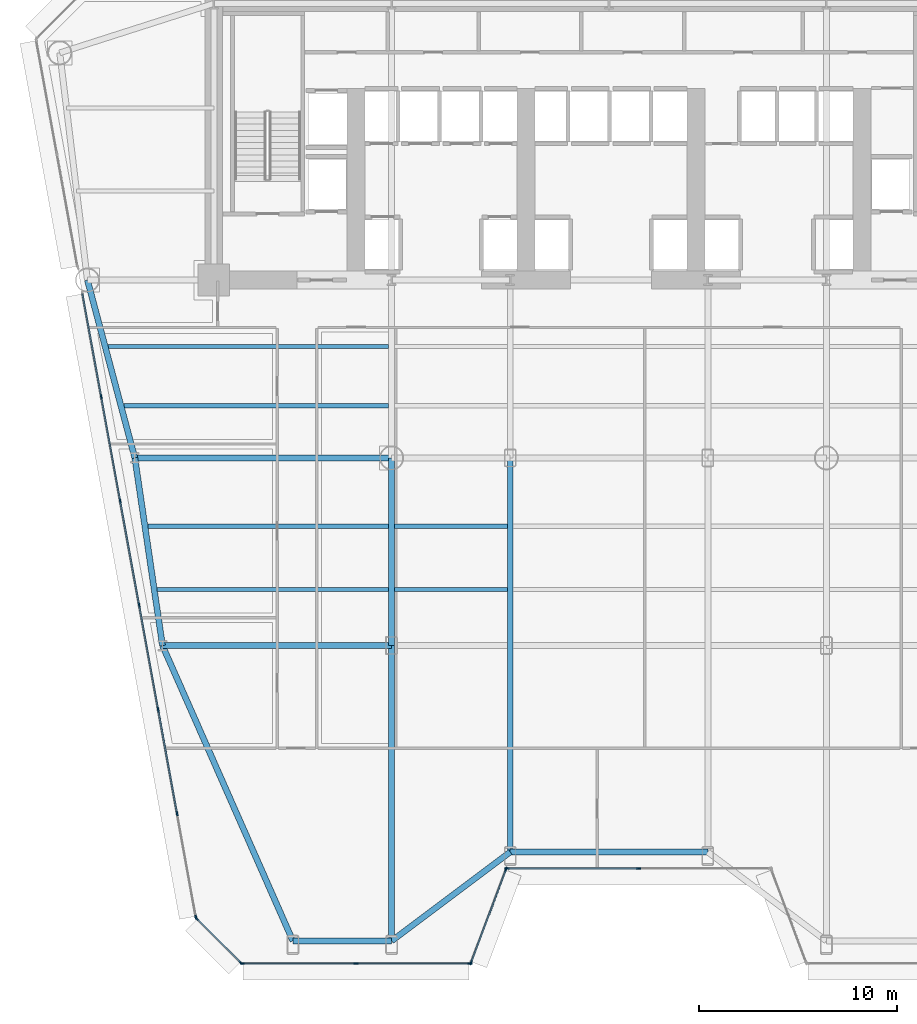
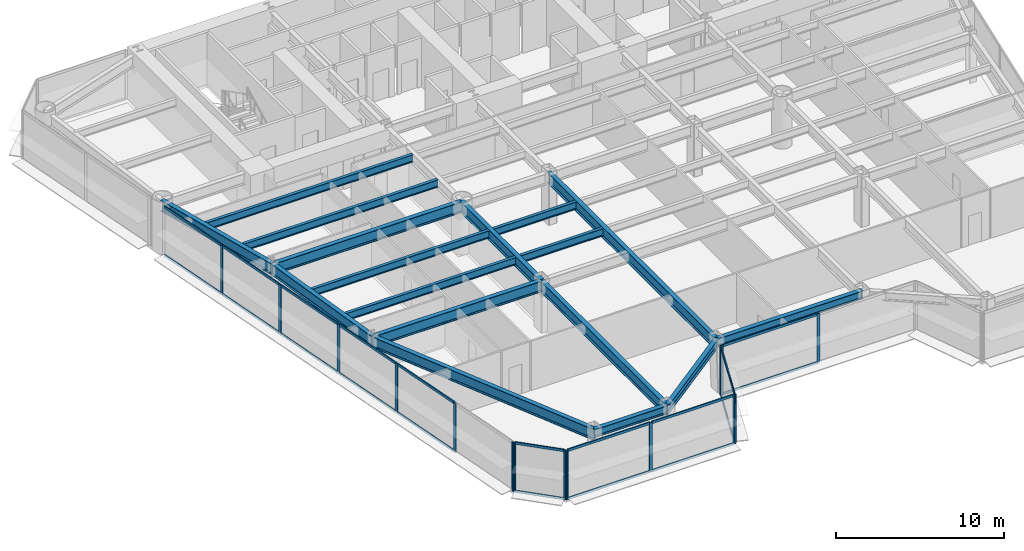
# One storey, part 2 of 14: 35 members, 17 beams, 5 elements without a shape of their own.
"""IFC4 building model written with IfcOpenShell, lengths in metres."""

from ifc_helpers import new_model, si_unit, direction, frame, origin, origin_2d, place, context, subcontext, project, spatial, rectangle, i_section, extrude, source, transform, mapped, material, layer, layer_set, material_profile, profile_set, type_object, element, aggregate, save


model = new_model("IFC4")

# Units and contexts
model_context = context("Model", 3, precision=1e-05, world=origin(), true_north=direction((0.0, 1.0)))
body_context = subcontext(model_context, "Body", "Model", "MODEL_VIEW")
ifc_project = project(units=[si_unit("LENGTHUNIT", "METRE"), si_unit("AREAUNIT", "SQUARE_METRE"), si_unit("VOLUMEUNIT", "CUBIC_METRE"), si_unit("PLANEANGLEUNIT", "RADIAN"), si_unit("MASSUNIT", "GRAM", prefix="KILO")], contexts=[model_context])

# Site, building, storey
site_placement = place(None, origin())
site = spatial("IfcSite", under=ifc_project, at=site_placement, CompositionType="ELEMENT")
building_placement = place(site_placement, origin())
building = spatial("IfcBuilding", under=site, at=building_placement, Name="Vaeldorn Concourse Tower", CompositionType="ELEMENT")
storey_placement = place(building_placement, frame((0.0, 0.0, 49.199951171875)))
storey = spatial("IfcBuildingStorey", under=building, at=storey_placement, Name="L12", CompositionType="ELEMENT", Elevation=49.199951171875)

# Beams
ifc_material_1 = material(Name="Steel S355", Category="steel")
ifc_material_profile_1 = material_profile(ifc_material_1, i_section(OverallWidth=0.300048828125, OverallDepth=0.800048828125, WebThickness=0.017578125, FlangeThickness=0.032958984375, FilletRadius=0.030029296875, at=origin_2d()), Name="HEB 800")
ifc_profile_set_1 = profile_set([ifc_material_profile_1], Name="Steel S355")
beam_type_1 = type_object("IfcBeamType", Name="BM-PG-HEB800", PredefinedType="BEAM", material=ifc_profile_set_1)
shared_shape_1 = source(origin(), body_context, "Body", "SweptSolid", [
    extrude(i_section(OverallWidth=0.300048828125, OverallDepth=0.800048828125, WebThickness=0.017578125, FlangeThickness=0.032958984375, FilletRadius=0.030029296875, at=origin_2d()), origin(), (0.0, 0.0, 1.0), 9.314453125),
])
beam_1_placement = place(storey_placement, frame((7.60009765625, 36.5, 3.179931640625), z_axis=(0.257652862255, -0.966237549763, 0.0), x_axis=(0.966237549763, 0.257652862255, 0.0)))
element("IfcBeam", 1, at=beam_1_placement, inside=storey, type_object=beam_type_1, Name="Beam BM-L12-C-NW2-C-FLW1", PredefinedType="BEAM", context=body_context, shape_type="MappedRepresentation", body=[
    mapped(shared_shape_1, transform((0.0, 0.0, 0.0), scale=1.0)),
])
shared_shape_2 = source(origin(), body_context, "Body", "SweptSolid", [
    extrude(i_section(OverallWidth=0.300048828125, OverallDepth=0.800048828125, WebThickness=0.017578125, FlangeThickness=0.032958984375, FilletRadius=0.030029296875, at=origin_2d()), origin(), (0.0, 0.0, 1.0), 13.0),
])
beam_2_placement = place(storey_placement, frame((10.0, 27.5, 3.179931640625), z_axis=(1.0, 0.0, 0.0), x_axis=(0.0, 1.0, 0.0)))
element("IfcBeam", 2, at=beam_2_placement, inside=storey, type_object=beam_type_1, Name="Beam BM-L12-C-FLW1-C-TW1", PredefinedType="BEAM", context=body_context, shape_type="MappedRepresentation", body=[
    mapped(shared_shape_2, transform((0.0, 0.0, 0.0), scale=1.0)),
])
ifc_material_profile_2 = material_profile(ifc_material_1, i_section(OverallWidth=0.300048828125, OverallDepth=0.60009765625, WebThickness=0.015380859375, FlangeThickness=0.030029296875, FilletRadius=0.027099609375, at=origin_2d()), Name="HEB 600")
ifc_profile_set_2 = profile_set([ifc_material_profile_2], Name="Steel S355")
beam_type_2 = type_object("IfcBeamType", Name="BM-SP-HEB600", PredefinedType="SPANDREL", material=ifc_profile_set_2)
shared_shape_3 = source(origin(), body_context, "Body", "SweptSolid", [
    extrude(i_section(OverallWidth=0.300048828125, OverallDepth=0.60009765625, WebThickness=0.015380859375, FlangeThickness=0.030029296875, FilletRadius=0.027099609375, at=origin_2d()), origin(), (0.0, 0.0, 1.0), 5.0),
])
beam_3_placement = place(storey_placement, frame((18.0, 3.0517578125, 3.280029296875), z_axis=(1.0, 0.0, 0.0), x_axis=(0.0, 1.0, 0.0)))
element("IfcBeam", 3, at=beam_3_placement, inside=storey, type_object=beam_type_2, Name="Beam BM-L12-C-SF1-C-SF2", PredefinedType="SPANDREL", context=body_context, shape_type="MappedRepresentation", body=[
    mapped(shared_shape_3, transform((0.0, 0.0, 0.0), scale=1.0)),
])
shared_shape_4 = source(origin(), body_context, "Body", "SweptSolid", [
    extrude(i_section(OverallWidth=0.300048828125, OverallDepth=0.60009765625, WebThickness=0.015380859375, FlangeThickness=0.030029296875, FilletRadius=0.027099609375, at=origin_2d()), origin(), (0.0, 0.0, 1.0), 7.5),
])
beam_4_placement = place(storey_placement, frame((23.0, 3.0517578125, 3.280029296875), z_axis=(0.8, 0.6, 0.0), x_axis=(-0.6, 0.8, 0.0)))
element("IfcBeam", 4, at=beam_4_placement, inside=storey, type_object=beam_type_2, Name="Beam BM-L12-C-SF2-C-SF3", PredefinedType="SPANDREL", context=body_context, shape_type="MappedRepresentation", body=[
    mapped(shared_shape_4, transform((0.0, 0.0, 0.0), scale=1.0)),
])
shared_shape_5 = source(origin(), body_context, "Body", "SweptSolid", [
    extrude(i_section(OverallWidth=0.300048828125, OverallDepth=0.60009765625, WebThickness=0.015380859375, FlangeThickness=0.030029296875, FilletRadius=0.027099609375, at=origin_2d()), origin(), (0.0, 0.0, 1.0), 10.0),
])
beam_5_placement = place(storey_placement, frame((29.0, 7.5517578125, 3.280029296875), z_axis=(1.0, 0.0, 0.0), x_axis=(0.0, 1.0, 0.0)))
element("IfcBeam", 5, at=beam_5_placement, inside=storey, type_object=beam_type_2, Name="Beam BM-L12-C-SF3-C-SF4", PredefinedType="SPANDREL", context=body_context, shape_type="MappedRepresentation", body=[
    mapped(shared_shape_5, transform((0.0, 0.0, 0.0), scale=1.0)),
])
shared_shape_6 = source(origin(), body_context, "Body", "SweptSolid", [
    extrude(i_section(OverallWidth=0.300048828125, OverallDepth=0.800048828125, WebThickness=0.017578125, FlangeThickness=0.032958984375, FilletRadius=0.030029296875, at=origin_2d()), origin(), (0.0, 0.0, 1.0), 9.6025390625),
])
beam_6_placement = place(storey_placement, frame((10.0, 27.5, 3.179931640625), z_axis=(0.145783835977, -0.989316467652, 0.0), x_axis=(0.989316467652, 0.145783835977, 0.0)))
element("IfcBeam", 6, at=beam_6_placement, inside=storey, type_object=beam_type_1, Name="Beam BM-L12-C-FLW1-C-FLW2", PredefinedType="BEAM", context=body_context, shape_type="MappedRepresentation", body=[
    mapped(shared_shape_6, transform((0.0, 0.0, 0.0), scale=1.0)),
])
shared_shape_7 = source(origin(), body_context, "Body", "SweptSolid", [
    extrude(i_section(OverallWidth=0.300048828125, OverallDepth=0.800048828125, WebThickness=0.017578125, FlangeThickness=0.032958984375, FilletRadius=0.030029296875, at=origin_2d()), origin(), (0.0, 0.0, 1.0), 11.60009765625),
])
beam_7_placement = place(storey_placement, frame((11.39990234375, 18.0, 3.179931640625), z_axis=(1.0, 0.0, 0.0), x_axis=(0.0, 1.0, 0.0)))
element("IfcBeam", 7, at=beam_7_placement, inside=storey, type_object=beam_type_1, Name="Beam BM-L12-C-FLW2-C-TW5", PredefinedType="BEAM", context=body_context, shape_type="MappedRepresentation", body=[
    mapped(shared_shape_7, transform((0.0, 0.0, 0.0), scale=1.0)),
])
shared_shape_8 = source(origin(), body_context, "Body", "SweptSolid", [
    extrude(i_section(OverallWidth=0.300048828125, OverallDepth=0.800048828125, WebThickness=0.017578125, FlangeThickness=0.032958984375, FilletRadius=0.030029296875, at=origin_2d()), origin(), (0.0, 0.0, 1.0), 9.5),
])
beam_8_placement = place(storey_placement, frame((23.0, 18.0, 3.179931640625), z_axis=(0.0, 1.0, 0.0), x_axis=(-1.0, 0.0, 0.0)))
element("IfcBeam", 8, at=beam_8_placement, inside=storey, type_object=beam_type_1, Name="Beam BM-L12-C-TW5-C-TW1", PredefinedType="BEAM", context=body_context, shape_type="MappedRepresentation", body=[
    mapped(shared_shape_8, transform((0.0, 0.0, 0.0), scale=1.0)),
])
ifc_material_profile_3 = material_profile(ifc_material_1, i_section(OverallWidth=0.2099609375, OverallDepth=0.550048828125, WebThickness=0.010986328125, FlangeThickness=0.01708984375, FilletRadius=0.02392578125, at=origin_2d()), Name="IPE 550")
ifc_profile_set_3 = profile_set([ifc_material_profile_3], Name="Steel S355")
beam_type_3 = type_object("IfcBeamType", Name="BM-JS-IPE550", PredefinedType="JOIST", material=ifc_profile_set_3)
shared_shape_9 = source(origin(), body_context, "Body", "SweptSolid", [
    extrude(i_section(OverallWidth=0.2099609375, OverallDepth=0.550048828125, WebThickness=0.010986328125, FlangeThickness=0.01708984375, FilletRadius=0.02392578125, at=origin_2d()), origin(), (0.0, 0.0, 1.0), 5.7001953125),
])
for number, where, z_axis, x_axis, name in (
    (9, (23.14990234375, 20.840087890625, 3.304931640625), (1.0, 0.0, 0.0), (0.0, 1.0, 0.0), "Beam JS-L12-W2-208"),
    (10, (23.14990234375, 24.0400390625, 3.304931640625), (1.0, 0.0, 0.0), (0.0, 1.0, 0.0), "Beam JS-L12-W2-240"),
):
    element("IfcBeam", number, at=place(storey_placement, frame(where, z_axis=z_axis, x_axis=x_axis)), inside=storey, type_object=beam_type_3, Name=name, PredefinedType="JOIST", context=body_context, shape_type="MappedRepresentation", body=[
        mapped(shared_shape_9, transform((0.0, 0.0, 0.0), scale=1.0)),
    ])
shared_shape_10 = source(origin(), body_context, "Body", "SweptSolid", [
    extrude(i_section(OverallWidth=0.2099609375, OverallDepth=0.550048828125, WebThickness=0.010986328125, FlangeThickness=0.01708984375, FilletRadius=0.02392578125, at=origin_2d()), origin(), (0.0, 0.0, 1.0), 11.718505859375),
])
beam_9_placement = place(storey_placement, frame((11.131591796875, 20.840087890625, 3.304931640625), z_axis=(1.0, 0.0, 0.0), x_axis=(0.0, 1.0, 0.0)))
element("IfcBeam", 11, at=beam_9_placement, inside=storey, type_object=beam_type_3, Name="Beam JS-L12-W1-208", PredefinedType="JOIST", context=body_context, shape_type="MappedRepresentation", body=[
    mapped(shared_shape_10, transform((0.0, 0.0, 0.0), scale=1.0)),
])
shared_shape_11 = source(origin(), body_context, "Body", "SweptSolid", [
    extrude(i_section(OverallWidth=0.2099609375, OverallDepth=0.550048828125, WebThickness=0.010986328125, FlangeThickness=0.01708984375, FilletRadius=0.02392578125, at=origin_2d()), origin(), (0.0, 0.0, 1.0), 12.190185546875),
])
beam_10_placement = place(storey_placement, frame((10.659912109375, 24.0400390625, 3.304931640625), z_axis=(1.0, 0.0, 0.0), x_axis=(0.0, 1.0, 0.0)))
element("IfcBeam", 12, at=beam_10_placement, inside=storey, type_object=beam_type_3, Name="Beam JS-L12-W1-240", PredefinedType="JOIST", context=body_context, shape_type="MappedRepresentation", body=[
    mapped(shared_shape_11, transform((0.0, 0.0, 0.0), scale=1.0)),
])
shared_shape_12 = source(origin(), body_context, "Body", "SweptSolid", [
    extrude(i_section(OverallWidth=0.2099609375, OverallDepth=0.550048828125, WebThickness=0.010986328125, FlangeThickness=0.01708984375, FilletRadius=0.02392578125, at=origin_2d()), origin(), (0.0, 0.0, 1.0), 13.404052734375),
])
beam_11_placement = place(storey_placement, frame((9.446044921875, 30.139892578125, 3.304931640625), z_axis=(1.0, 0.0, 0.0), x_axis=(0.0, 1.0, 0.0)))
element("IfcBeam", 13, at=beam_11_placement, inside=storey, type_object=beam_type_3, Name="Beam JS-L12-W1-301", PredefinedType="JOIST", context=body_context, shape_type="MappedRepresentation", body=[
    mapped(shared_shape_12, transform((0.0, 0.0, 0.0), scale=1.0)),
])
shared_shape_13 = source(origin(), body_context, "Body", "SweptSolid", [
    extrude(i_section(OverallWidth=0.2099609375, OverallDepth=0.550048828125, WebThickness=0.010986328125, FlangeThickness=0.01708984375, FilletRadius=0.02392578125, at=origin_2d()), origin(), (0.0, 0.0, 1.0), 14.2041015625),
])
beam_12_placement = place(storey_placement, frame((8.64599609375, 33.139892578125, 3.304931640625), z_axis=(1.0, 0.0, 0.0), x_axis=(0.0, 1.0, 0.0)))
element("IfcBeam", 14, at=beam_12_placement, inside=storey, type_object=beam_type_3, Name="Beam JS-L12-W1-331", PredefinedType="JOIST", context=body_context, shape_type="MappedRepresentation", body=[
    mapped(shared_shape_13, transform((0.0, 0.0, 0.0), scale=1.0)),
])
shared_shape_14 = source(origin(), body_context, "Body", "SweptSolid", [
    extrude(i_section(OverallWidth=0.300048828125, OverallDepth=0.800048828125, WebThickness=0.017578125, FlangeThickness=0.032958984375, FilletRadius=0.030029296875, at=origin_2d()), origin(), (0.0, 0.0, 1.0), 16.340576171875),
])
beam_13_placement = place(storey_placement, frame((18.0, 3.0517578125, 3.179931640625), z_axis=(-0.403910920123, 0.914798321274, 0.0), x_axis=(-0.914798321274, -0.403910920123, 0.0)))
element("IfcBeam", 15, at=beam_13_placement, inside=storey, type_object=beam_type_1, Name="Beam BM-L12-C-SF1-C-FLW2", PredefinedType="BEAM", context=body_context, shape_type="MappedRepresentation", body=[
    mapped(shared_shape_14, transform((0.0, 0.0, 0.0), scale=1.0)),
])
shared_shape_15 = source(origin(), body_context, "Body", "SweptSolid", [
    extrude(i_section(OverallWidth=0.300048828125, OverallDepth=0.800048828125, WebThickness=0.017578125, FlangeThickness=0.032958984375, FilletRadius=0.030029296875, at=origin_2d()), origin(), (0.0, 0.0, 1.0), 14.9482421875),
])
beam_14_placement = place(storey_placement, frame((23.0, 3.0517578125, 3.179931640625), z_axis=(0.0, 1.0, 0.0), x_axis=(-1.0, 0.0, 0.0)))
element("IfcBeam", 16, at=beam_14_placement, inside=storey, type_object=beam_type_1, Name="Beam BM-L12-C-SF2-C-TW5", PredefinedType="BEAM", context=body_context, shape_type="MappedRepresentation", body=[
    mapped(shared_shape_15, transform((0.0, 0.0, 0.0), scale=1.0)),
])
shared_shape_16 = source(origin(), body_context, "Body", "SweptSolid", [
    extrude(i_section(OverallWidth=0.300048828125, OverallDepth=0.800048828125, WebThickness=0.017578125, FlangeThickness=0.032958984375, FilletRadius=0.030029296875, at=origin_2d()), origin(), (0.0, 0.0, 1.0), 19.9482421875),
])
beam_15_placement = place(storey_placement, frame((29.0, 7.5517578125, 3.179931640625), z_axis=(0.0, 1.0, 0.0), x_axis=(-1.0, 0.0, 0.0)))
element("IfcBeam", 17, at=beam_15_placement, inside=storey, type_object=beam_type_1, Name="Beam BM-L12-C-SF3-C-TW2", PredefinedType="BEAM", context=body_context, shape_type="MappedRepresentation", body=[
    mapped(shared_shape_16, transform((0.0, 0.0, 0.0), scale=1.0)),
])

# Curtain wall, members
ifc_material_2 = material(Name="Anodised Bronze Aluminium", Category="aluminium")
ifc_layer = layer(ifc_material_2, 0.219970703125)
ifc_layer_set = layer_set([ifc_layer], Name="Anodised Bronze Aluminium")
curtain_wall_type = type_object("IfcCurtainWallType", Name="CW-SYS-01", PredefinedType="NOTDEFINED", material=ifc_layer_set)
curtain_wall_1_placement = place(storey_placement, origin())
curtain_wall_1 = element("IfcCurtainWall", 18, at=curtain_wall_1_placement, inside=storey, type_object=curtain_wall_type, Name="Unitised Curtain Wall CW-L12-E02-1", PredefinedType="NOTDEFINED")
ifc_material_profile_4 = material_profile(ifc_material_2, rectangle(XDim=0.074951171875, YDim=0.179931640625, at=origin_2d()), Name="CWT 75x180")
ifc_profile_set_4 = profile_set([ifc_material_profile_4], Name="Anodised Bronze Aluminium")
member_type_1 = type_object("IfcMemberType", Name="CWT-BRONZE-180", PredefinedType="USERDEFINED", material=ifc_profile_set_4)
shared_shape_17 = source(origin(), body_context, "Body", "SweptSolid", [
    extrude(rectangle(XDim=0.074951171875, YDim=0.179931640625, at=origin_2d()), origin(), (0.0, 0.0, 1.0), 4.976318359375),
])
member_1_placement = place(storey_placement, frame((27.0263671875, 1.98291015625, 0.03759765625), z_axis=(0.351128818119, 0.936327161352, 0.0), x_axis=(-0.936327161352, 0.351128818119, 0.0)))
member_1 = element("IfcMember", 19, at=member_1_placement, type_object=member_type_1, Name="CW-01 transom 1.1", ObjectType="TRANSOM", PredefinedType="USERDEFINED", context=body_context, shape_type="MappedRepresentation", body=[
    mapped(shared_shape_17, transform((0.0, 0.0, 0.0), scale=1.0)),
])
member_2_placement = place(storey_placement, frame((27.0263671875, 1.98291015625, 3.54248046875), z_axis=(0.351128818119, 0.936327161352, 0.0), x_axis=(-0.936327161352, 0.351128818119, 0.0)))
member_2 = element("IfcMember", 20, at=member_2_placement, type_object=member_type_1, Name="CW-01 transom 1.2", ObjectType="TRANSOM", PredefinedType="USERDEFINED", context=body_context, shape_type="MappedRepresentation", body=[
    mapped(shared_shape_17, transform((0.0, 0.0, 0.0), scale=1.0)),
])

curtain_wall_2_placement = place(storey_placement, origin())
curtain_wall_2 = element("IfcCurtainWall", 21, at=curtain_wall_2_placement, inside=storey, type_object=curtain_wall_type, Name="Unitised Curtain Wall CW-L12-E03-1", PredefinedType="NOTDEFINED")
shared_shape_18 = source(origin(), body_context, "Body", "SweptSolid", [
    extrude(rectangle(XDim=0.074951171875, YDim=0.179931640625, at=origin_2d()), origin(), (0.0, 0.0, 1.0), 6.58740234375),
])
member_3_placement = place(storey_placement, frame((28.875, 6.712646484375, 0.03759765625), z_axis=(1.0, 0.0, 0.0), x_axis=(0.0, 1.0, 0.0)))
member_3 = element("IfcMember", 22, at=member_3_placement, type_object=member_type_1, Name="CW-01 transom 1.1", ObjectType="TRANSOM", PredefinedType="USERDEFINED", context=body_context, shape_type="MappedRepresentation", body=[
    mapped(shared_shape_18, transform((0.0, 0.0, 0.0), scale=1.0)),
])
member_4_placement = place(storey_placement, frame((28.875, 6.712646484375, 3.54248046875), z_axis=(1.0, 0.0, 0.0), x_axis=(0.0, 1.0, 0.0)))
member_4 = element("IfcMember", 23, at=member_4_placement, type_object=member_type_1, Name="CW-01 transom 1.2", ObjectType="TRANSOM", PredefinedType="USERDEFINED", context=body_context, shape_type="MappedRepresentation", body=[
    mapped(shared_shape_18, transform((0.0, 0.0, 0.0), scale=1.0)),
])

curtain_wall_3_placement = place(storey_placement, origin())
curtain_wall_3 = element("IfcCurtainWall", 24, at=curtain_wall_3_placement, inside=storey, type_object=curtain_wall_type, Name="Unitised Curtain Wall CW-L12-E12-1", PredefinedType="NOTDEFINED")
shared_shape_19 = source(origin(), body_context, "Body", "SweptSolid", [
    extrude(rectangle(XDim=0.074951171875, YDim=0.179931640625, at=origin_2d()), origin(), (0.0, 0.0, 1.0), 3.10302734375),
])
member_5_placement = place(storey_placement, frame((13.15234375, 4.15966796875, 0.03759765625), z_axis=(0.707106781187, -0.707106781187, 0.0), x_axis=(0.707106781187, 0.707106781187, 0.0)))
member_5 = element("IfcMember", 25, at=member_5_placement, type_object=member_type_1, Name="CW-01 transom 1.1", ObjectType="TRANSOM", PredefinedType="USERDEFINED", context=body_context, shape_type="MappedRepresentation", body=[
    mapped(shared_shape_19, transform((0.0, 0.0, 0.0), scale=1.0)),
])
member_6_placement = place(storey_placement, frame((13.15234375, 4.15966796875, 3.54248046875), z_axis=(0.707106781187, -0.707106781187, 0.0), x_axis=(0.707106781187, 0.707106781187, 0.0)))
member_6 = element("IfcMember", 26, at=member_6_placement, type_object=member_type_1, Name="CW-01 transom 1.2", ObjectType="TRANSOM", PredefinedType="USERDEFINED", context=body_context, shape_type="MappedRepresentation", body=[
    mapped(shared_shape_19, transform((0.0, 0.0, 0.0), scale=1.0)),
])

curtain_wall_4_placement = place(storey_placement, origin())
curtain_wall_4 = element("IfcCurtainWall", 27, at=curtain_wall_4_placement, inside=storey, type_object=curtain_wall_type, Name="Unitised Curtain Wall CW-L12-E01-1", PredefinedType="NOTDEFINED")
ifc_material_profile_5 = material_profile(ifc_material_2, rectangle(XDim=0.074951171875, YDim=0.219970703125, at=origin_2d()), Name="CWM 75x220")
ifc_profile_set_5 = profile_set([ifc_material_profile_5], Name="Anodised Bronze Aluminium")
member_type_2 = type_object("IfcMemberType", Name="CWM-BRONZE-220", PredefinedType="MULLION", material=ifc_profile_set_5)
shared_shape_20 = source(origin(), body_context, "Body", "SweptSolid", [
    extrude(rectangle(XDim=0.074951171875, YDim=0.219970703125, at=origin_2d()), origin(), (0.0, 0.0, 1.0), 3.580078125),
])
member_7_placement = place(storey_placement, frame((15.43701171875, 1.91259765625, 0.0), z_axis=(0.0, 0.0, 1.0), x_axis=(0.0, 1.0, 0.0)))
member_7 = element("IfcMember", 28, at=member_7_placement, type_object=member_type_2, Name="CW-01 mullion 1", PredefinedType="MULLION", context=body_context, shape_type="MappedRepresentation", body=[
    mapped(shared_shape_20, transform((0.0, 0.0, 0.0), scale=1.0)),
])
member_8_placement = place(storey_placement, frame((21.19970703125, 1.91259765625, 0.0), z_axis=(0.0, 0.0, 1.0), x_axis=(0.0, 1.0, 0.0)))
member_8 = element("IfcMember", 29, at=member_8_placement, type_object=member_type_2, Name="CW-01 mullion 2", PredefinedType="MULLION", context=body_context, shape_type="MappedRepresentation", body=[
    mapped(shared_shape_20, transform((0.0, 0.0, 0.0), scale=1.0)),
])
member_9_placement = place(storey_placement, frame((26.96240234375, 1.91259765625, 0.0), z_axis=(0.0, 0.0, 1.0), x_axis=(0.0, 1.0, 0.0)))
member_9 = element("IfcMember", 30, at=member_9_placement, type_object=member_type_2, Name="CW-01 mullion 3", PredefinedType="MULLION", context=body_context, shape_type="MappedRepresentation", body=[
    mapped(shared_shape_20, transform((0.0, 0.0, 0.0), scale=1.0)),
])

# Member
member_10_placement = place(storey_placement, frame((27.01318359375, 1.94775390625, 0.0), z_axis=(0.0, 0.0, 1.0), x_axis=(-0.936329177566, 0.351123441595, 0.0)))
member_10 = element("IfcMember", 31, at=member_10_placement, type_object=member_type_2, Name="CW-01 mullion 1", PredefinedType="MULLION", context=body_context, shape_type="MappedRepresentation", body=[
    mapped(shared_shape_20, transform((0.0, 0.0, 0.0), scale=1.0)),
])

member_11_placement = place(storey_placement, frame((28.786865234375, 6.677490234375, 0.0), z_axis=(0.0, 0.0, 1.0), x_axis=(-0.936329177566, 0.351123441595, 0.0)))
member_11 = element("IfcMember", 32, at=member_11_placement, type_object=member_type_2, Name="CW-01 mullion 2", PredefinedType="MULLION", context=body_context, shape_type="MappedRepresentation", body=[
    mapped(shared_shape_20, transform((0.0, 0.0, 0.0), scale=1.0)),
])

aggregate(curtain_wall_1, [member_10, member_11, member_1, member_2])

member_12_placement = place(storey_placement, frame((28.83740234375, 6.712646484375, 0.0), z_axis=(0.0, 0.0, 1.0), x_axis=(0.0, 1.0, 0.0)))
member_12 = element("IfcMember", 33, at=member_12_placement, type_object=member_type_2, Name="CW-01 mullion 1", PredefinedType="MULLION", context=body_context, shape_type="MappedRepresentation", body=[
    mapped(shared_shape_20, transform((0.0, 0.0, 0.0), scale=1.0)),
])

member_13_placement = place(storey_placement, frame((35.5, 6.712646484375, 0.0), z_axis=(0.0, 0.0, 1.0), x_axis=(0.0, 1.0, 0.0)))
member_13 = element("IfcMember", 34, at=member_13_placement, type_object=member_type_2, Name="CW-01 mullion 2", PredefinedType="MULLION", context=body_context, shape_type="MappedRepresentation", body=[
    mapped(shared_shape_20, transform((0.0, 0.0, 0.0), scale=1.0)),
])

aggregate(curtain_wall_2, [member_12, member_13, member_3, member_4])

# Curtain wall, members
curtain_wall_5_placement = place(storey_placement, origin())
curtain_wall_5 = element("IfcCurtainWall", 35, at=curtain_wall_5_placement, inside=storey, type_object=curtain_wall_type, Name="Unitised Curtain Wall CW-L12-E11-2", PredefinedType="NOTDEFINED")
member_14_placement = place(storey_placement, frame((8.294921875, 30.6025390625, 0.0), z_axis=(0.0, 0.0, 1.0), x_axis=(0.983827780803, 0.179116994505, 0.0)))
member_14 = element("IfcMember", 36, at=member_14_placement, type_object=member_type_2, Name="CW-01 mullion 2", PredefinedType="MULLION", context=body_context, shape_type="MappedRepresentation", body=[
    mapped(shared_shape_20, transform((0.0, 0.0, 0.0), scale=1.0)),
])
member_15_placement = place(storey_placement, frame((9.255615234375, 25.324462890625, 0.0), z_axis=(0.0, 0.0, 1.0), x_axis=(0.983827780803, 0.179116994505, 0.0)))
member_15 = element("IfcMember", 37, at=member_15_placement, type_object=member_type_2, Name="CW-01 mullion 3", PredefinedType="MULLION", context=body_context, shape_type="MappedRepresentation", body=[
    mapped(shared_shape_20, transform((0.0, 0.0, 0.0), scale=1.0)),
])
member_16_placement = place(storey_placement, frame((10.216552734375, 20.046630859375, 0.0), z_axis=(0.0, 0.0, 1.0), x_axis=(0.983827780803, 0.179116994505, 0.0)))
member_16 = element("IfcMember", 38, at=member_16_placement, type_object=member_type_2, Name="CW-01 mullion 4", PredefinedType="MULLION", context=body_context, shape_type="MappedRepresentation", body=[
    mapped(shared_shape_20, transform((0.0, 0.0, 0.0), scale=1.0)),
])
member_17_placement = place(storey_placement, frame((11.177490234375, 14.7685546875, 0.0), z_axis=(0.0, 0.0, 1.0), x_axis=(0.983827780803, 0.179116994505, 0.0)))
member_17 = element("IfcMember", 39, at=member_17_placement, type_object=member_type_2, Name="CW-01 mullion 5", PredefinedType="MULLION", context=body_context, shape_type="MappedRepresentation", body=[
    mapped(shared_shape_20, transform((0.0, 0.0, 0.0), scale=1.0)),
])
member_18_placement = place(storey_placement, frame((12.138427734375, 9.490478515625, 0.0), z_axis=(0.0, 0.0, 1.0), x_axis=(0.983827780803, 0.179116994505, 0.0)))
member_18 = element("IfcMember", 40, at=member_18_placement, type_object=member_type_2, Name="CW-01 mullion 6", PredefinedType="MULLION", context=body_context, shape_type="MappedRepresentation", body=[
    mapped(shared_shape_20, transform((0.0, 0.0, 0.0), scale=1.0)),
])
member_19_placement = place(storey_placement, frame((13.0927734375, 4.24951171875, 0.0), z_axis=(0.0, 0.0, 1.0), x_axis=(0.983827780803, 0.179116994505, 0.0)))
member_19 = element("IfcMember", 41, at=member_19_placement, type_object=member_type_2, Name="CW-01 mullion 7", PredefinedType="MULLION", context=body_context, shape_type="MappedRepresentation", body=[
    mapped(shared_shape_20, transform((0.0, 0.0, 0.0), scale=1.0)),
])

# Member
member_20_placement = place(storey_placement, frame((13.1259765625, 4.18603515625, 0.0), z_axis=(0.0, 0.0, 1.0), x_axis=(0.707106781187, 0.707106781187, 0.0)))
member_20 = element("IfcMember", 42, at=member_20_placement, type_object=member_type_2, Name="CW-01 mullion 1", PredefinedType="MULLION", context=body_context, shape_type="MappedRepresentation", body=[
    mapped(shared_shape_20, transform((0.0, 0.0, 0.0), scale=1.0)),
])

member_21_placement = place(storey_placement, frame((15.372802734375, 1.939208984375, 0.0), z_axis=(0.0, 0.0, 1.0), x_axis=(0.707106781187, 0.707106781187, 0.0)))
member_21 = element("IfcMember", 43, at=member_21_placement, type_object=member_type_2, Name="CW-01 mullion 2", PredefinedType="MULLION", context=body_context, shape_type="MappedRepresentation", body=[
    mapped(shared_shape_20, transform((0.0, 0.0, 0.0), scale=1.0)),
])

aggregate(curtain_wall_3, [member_20, member_21, member_5, member_6])

shared_shape_21 = source(origin(), body_context, "Body", "SweptSolid", [
    extrude(rectangle(XDim=0.074951171875, YDim=0.179931640625, at=origin_2d()), origin(), (0.0, 0.0, 1.0), 5.687744140625),
])
member_22_placement = place(storey_placement, frame((15.474365234375, 1.91259765625, 0.03759765625), z_axis=(1.0, 0.0, 0.0), x_axis=(0.0, 1.0, 0.0)))
member_22 = element("IfcMember", 44, at=member_22_placement, type_object=member_type_1, Name="CW-01 transom 1.1", ObjectType="TRANSOM", PredefinedType="USERDEFINED", context=body_context, shape_type="MappedRepresentation", body=[
    mapped(shared_shape_21, transform((0.0, 0.0, 0.0), scale=1.0)),
])

member_23_placement = place(storey_placement, frame((15.474365234375, 1.91259765625, 3.54248046875), z_axis=(1.0, 0.0, 0.0), x_axis=(0.0, 1.0, 0.0)))
member_23 = element("IfcMember", 45, at=member_23_placement, type_object=member_type_1, Name="CW-01 transom 1.2", ObjectType="TRANSOM", PredefinedType="USERDEFINED", context=body_context, shape_type="MappedRepresentation", body=[
    mapped(shared_shape_21, transform((0.0, 0.0, 0.0), scale=1.0)),
])

member_24_placement = place(storey_placement, frame((21.2373046875, 1.91259765625, 0.03759765625), z_axis=(1.0, 0.0, 0.0), x_axis=(0.0, 1.0, 0.0)))
member_24 = element("IfcMember", 46, at=member_24_placement, type_object=member_type_1, Name="CW-01 transom 2.1", ObjectType="TRANSOM", PredefinedType="USERDEFINED", context=body_context, shape_type="MappedRepresentation", body=[
    mapped(shared_shape_21, transform((0.0, 0.0, 0.0), scale=1.0)),
])

member_25_placement = place(storey_placement, frame((21.2373046875, 1.91259765625, 3.54248046875), z_axis=(1.0, 0.0, 0.0), x_axis=(0.0, 1.0, 0.0)))
member_25 = element("IfcMember", 47, at=member_25_placement, type_object=member_type_1, Name="CW-01 transom 2.2", ObjectType="TRANSOM", PredefinedType="USERDEFINED", context=body_context, shape_type="MappedRepresentation", body=[
    mapped(shared_shape_21, transform((0.0, 0.0, 0.0), scale=1.0)),
])

aggregate(curtain_wall_4, [member_7, member_8, member_9, member_22, member_23, member_24, member_25])

shared_shape_22 = source(origin(), body_context, "Body", "SweptSolid", [
    extrude(rectangle(XDim=0.074951171875, YDim=0.179931640625, at=origin_2d()), origin(), (0.0, 0.0, 1.0), 5.252197265625),
])
member_26_placement = place(storey_placement, frame((7.347412109375, 35.806640625, 0.03759765625), z_axis=(0.179102234485, -0.983830467917, 0.0), x_axis=(0.983830467917, 0.179102234485, 0.0)))
member_26 = element("IfcMember", 48, at=member_26_placement, type_object=member_type_1, Name="CW-01 transom 1.1", ObjectType="TRANSOM", PredefinedType="USERDEFINED", context=body_context, shape_type="MappedRepresentation", body=[
    mapped(shared_shape_22, transform((0.0, 0.0, 0.0), scale=1.0)),
])

member_27_placement = place(storey_placement, frame((7.347412109375, 35.806640625, 3.54248046875), z_axis=(0.179102234485, -0.983830467917, 0.0), x_axis=(0.983830467917, 0.179102234485, 0.0)))
member_27 = element("IfcMember", 49, at=member_27_placement, type_object=member_type_1, Name="CW-01 transom 1.2", ObjectType="TRANSOM", PredefinedType="USERDEFINED", context=body_context, shape_type="MappedRepresentation", body=[
    mapped(shared_shape_22, transform((0.0, 0.0, 0.0), scale=1.0)),
])

shared_shape_23 = source(origin(), body_context, "Body", "SweptSolid", [
    extrude(rectangle(XDim=0.074951171875, YDim=0.179931640625, at=origin_2d()), origin(), (0.0, 0.0, 1.0), 5.28955078125),
])
member_28_placement = place(storey_placement, frame((9.262451171875, 25.28759765625, 0.03759765625), z_axis=(0.179125066325, -0.983826311202, 0.0), x_axis=(0.983826311202, 0.179125066325, 0.0)))
member_28 = element("IfcMember", 50, at=member_28_placement, type_object=member_type_1, Name="CW-01 transom 3.1", ObjectType="TRANSOM", PredefinedType="USERDEFINED", context=body_context, shape_type="MappedRepresentation", body=[
    mapped(shared_shape_23, transform((0.0, 0.0, 0.0), scale=1.0)),
])

member_29_placement = place(storey_placement, frame((9.262451171875, 25.28759765625, 3.54248046875), z_axis=(0.179125066325, -0.983826311202, 0.0), x_axis=(0.983826311202, 0.179125066325, 0.0)))
member_29 = element("IfcMember", 51, at=member_29_placement, type_object=member_type_1, Name="CW-01 transom 3.2", ObjectType="TRANSOM", PredefinedType="USERDEFINED", context=body_context, shape_type="MappedRepresentation", body=[
    mapped(shared_shape_23, transform((0.0, 0.0, 0.0), scale=1.0)),
])

member_30_placement = place(storey_placement, frame((11.184326171875, 14.731689453125, 0.03759765625), z_axis=(0.179125066325, -0.983826311202, 0.0), x_axis=(0.983826311202, 0.179125066325, 0.0)))
member_30 = element("IfcMember", 52, at=member_30_placement, type_object=member_type_1, Name="CW-01 transom 5.1", ObjectType="TRANSOM", PredefinedType="USERDEFINED", context=body_context, shape_type="MappedRepresentation", body=[
    mapped(shared_shape_23, transform((0.0, 0.0, 0.0), scale=1.0)),
])

member_31_placement = place(storey_placement, frame((11.184326171875, 14.731689453125, 3.54248046875), z_axis=(0.179125066325, -0.983826311202, 0.0), x_axis=(0.983826311202, 0.179125066325, 0.0)))
member_31 = element("IfcMember", 53, at=member_31_placement, type_object=member_type_1, Name="CW-01 transom 5.2", ObjectType="TRANSOM", PredefinedType="USERDEFINED", context=body_context, shape_type="MappedRepresentation", body=[
    mapped(shared_shape_23, transform((0.0, 0.0, 0.0), scale=1.0)),
])

shared_shape_24 = source(origin(), body_context, "Body", "SweptSolid", [
    extrude(rectangle(XDim=0.074951171875, YDim=0.179931640625, at=origin_2d()), origin(), (0.0, 0.0, 1.0), 5.289794921875),
])
member_32_placement = place(storey_placement, frame((8.301513671875, 30.565673828125, 0.03759765625), z_axis=(0.179116933, -0.983827792001, 0.0), x_axis=(0.983827792001, 0.179116933, 0.0)))
member_32 = element("IfcMember", 54, at=member_32_placement, type_object=member_type_1, Name="CW-01 transom 2.1", ObjectType="TRANSOM", PredefinedType="USERDEFINED", context=body_context, shape_type="MappedRepresentation", body=[
    mapped(shared_shape_24, transform((0.0, 0.0, 0.0), scale=1.0)),
])

member_33_placement = place(storey_placement, frame((8.301513671875, 30.565673828125, 3.54248046875), z_axis=(0.179116933, -0.983827792001, 0.0), x_axis=(0.983827792001, 0.179116933, 0.0)))
member_33 = element("IfcMember", 55, at=member_33_placement, type_object=member_type_1, Name="CW-01 transom 2.2", ObjectType="TRANSOM", PredefinedType="USERDEFINED", context=body_context, shape_type="MappedRepresentation", body=[
    mapped(shared_shape_24, transform((0.0, 0.0, 0.0), scale=1.0)),
])

member_34_placement = place(storey_placement, frame((10.223388671875, 20.009765625, 0.03759765625), z_axis=(0.179116933, -0.983827792001, 0.0), x_axis=(0.983827792001, 0.179116933, 0.0)))
member_34 = element("IfcMember", 56, at=member_34_placement, type_object=member_type_1, Name="CW-01 transom 4.1", ObjectType="TRANSOM", PredefinedType="USERDEFINED", context=body_context, shape_type="MappedRepresentation", body=[
    mapped(shared_shape_24, transform((0.0, 0.0, 0.0), scale=1.0)),
])

member_35_placement = place(storey_placement, frame((10.223388671875, 20.009765625, 3.54248046875), z_axis=(0.179116933, -0.983827792001, 0.0), x_axis=(0.983827792001, 0.179116933, 0.0)))
member_35 = element("IfcMember", 57, at=member_35_placement, type_object=member_type_1, Name="CW-01 transom 4.2", ObjectType="TRANSOM", PredefinedType="USERDEFINED", context=body_context, shape_type="MappedRepresentation", body=[
    mapped(shared_shape_24, transform((0.0, 0.0, 0.0), scale=1.0)),
])

aggregate(curtain_wall_5, [member_14, member_15, member_16, member_17, member_18, member_19, member_26, member_27, member_32, member_33, member_28, member_29, member_34, member_35, member_30, member_31])

save(model, "model.ifc")
